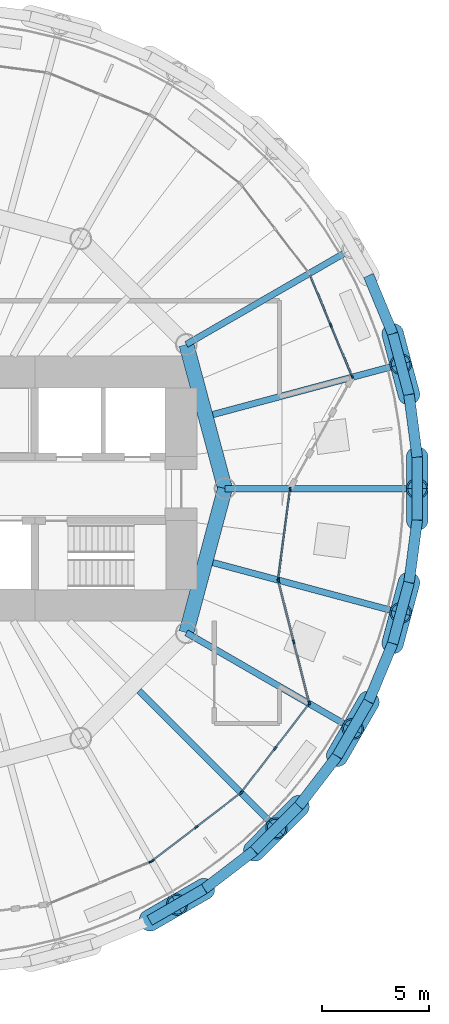
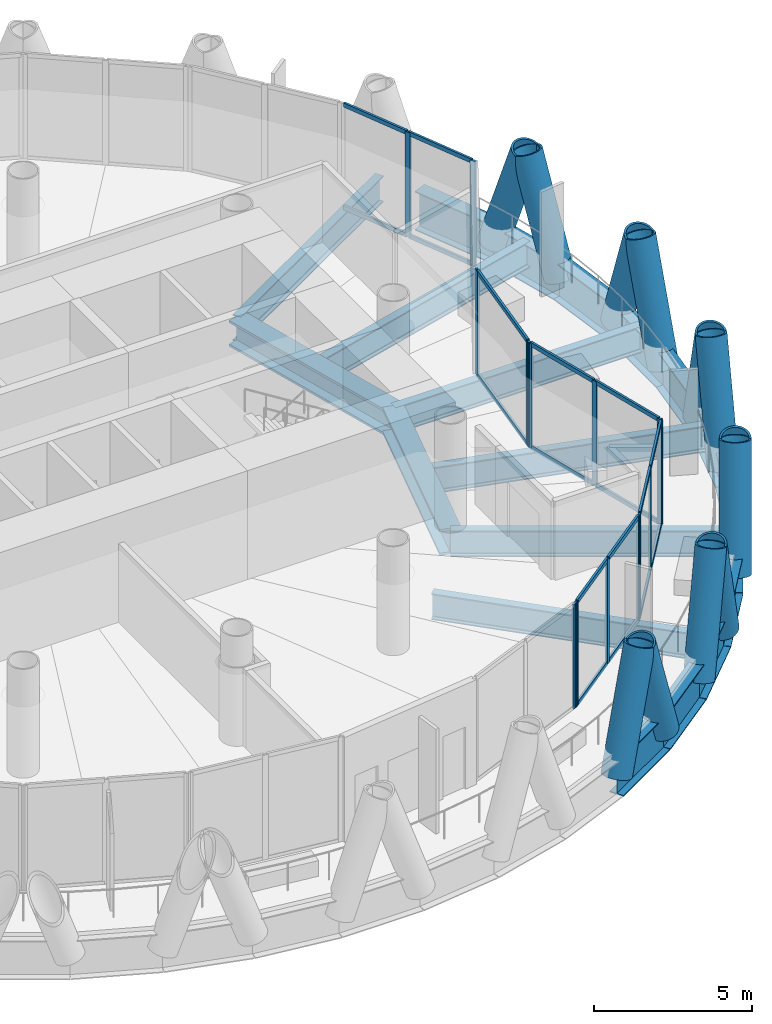
# One storey, part 4 of 13: 44 members, 20 beams, 6 elements without a shape of their own.
"""IFC4 building model written with IfcOpenShell, lengths in metres."""

from ifc_helpers import new_model, si_unit, direction, frame, origin, origin_2d, place, context, subcontext, project, spatial, rectangle, hollow_circle, i_section, extrude, material, material_profile, profile_set, type_object, element, aggregate, save


model = new_model("IFC4")

# Units and contexts
model_context = context("Model", 3, precision=1e-05, world=origin(), true_north=direction((0.0, 1.0)))
body_context = subcontext(model_context, "Body", "Model", "MODEL_VIEW")
ifc_project = project(units=[si_unit("LENGTHUNIT", "METRE"), si_unit("AREAUNIT", "SQUARE_METRE"), si_unit("VOLUMEUNIT", "CUBIC_METRE"), si_unit("PLANEANGLEUNIT", "RADIAN"), si_unit("MASSUNIT", "GRAM", prefix="KILO")], contexts=[model_context])

# Site, building, storey
site_placement = place(None, origin())
site = spatial("IfcSite", under=ifc_project, at=site_placement, CompositionType="ELEMENT")
building_placement = place(site_placement, origin())
building = spatial("IfcBuilding", under=site, at=building_placement, Name="Qaws Media Tower", CompositionType="ELEMENT")
storey_placement = place(building_placement, frame((0.0, 0.0, 223.39990234375)))
storey = spatial("IfcBuildingStorey", under=building, at=storey_placement, Name="L51", CompositionType="ELEMENT", Elevation=223.39990234375)

# Curtain wall, members
ifc_material_1 = material(Name="Aluminium and clear glass", Category="aluminium")
curtain_wall_type_1 = type_object("IfcCurtainWallType", Name="Unitised curtain wall CW-C", PredefinedType="NOTDEFINED", material=ifc_material_1)
curtain_wall_1_placement = place(storey_placement, origin())
curtain_wall_1 = element("IfcCurtainWall", 1, at=curtain_wall_1_placement, inside=storey, type_object=curtain_wall_type_1, Name="CWC curtain wall L51-02", PredefinedType="NOTDEFINED")
ifc_material_2 = material(Name="Aluminium mullion", Category="aluminium")
ifc_material_profile_1 = material_profile(ifc_material_2, rectangle(XDim=0.080078125, YDim=0.199951171875, at=origin_2d()), Name="80x200")
ifc_profile_set_1 = profile_set([ifc_material_profile_1], Name="Aluminium mullion")
member_type_1 = type_object("IfcMemberType", Name="Curtain wall mullion 80x200", PredefinedType="MULLION", material=ifc_profile_set_1)
member_1_placement = place(storey_placement, frame((79.447998046875, 55.252197265625, 0.0), z_axis=(0.0, 0.0, 1.0), x_axis=(-0.92387956031, -0.382683365254, 0.0)))
member_1 = element("IfcMember", 2, at=member_1_placement, type_object=member_type_1, Name="CWC mullion 1", PredefinedType="MULLION", context=body_context, shape_type="SweptSolid", body=[
    extrude(rectangle(XDim=0.080078125, YDim=0.199951171875, at=origin_2d()), origin(), (0.0, 0.0, 1.0), 4.0400390625),
])
member_2_placement = place(storey_placement, frame((78.456787109375, 57.64501953125, 0.0), z_axis=(0.0, 0.0, 1.0), x_axis=(-0.92387956031, -0.382683365254, 0.0)))
member_2 = element("IfcMember", 3, at=member_2_placement, type_object=member_type_1, Name="CWC mullion 2", PredefinedType="MULLION", context=body_context, shape_type="SweptSolid", body=[
    extrude(rectangle(XDim=0.080078125, YDim=0.199951171875, at=origin_2d()), origin(), (0.0, 0.0, 1.0), 4.0400390625),
])

# Curtain wall, member
curtain_wall_2_placement = place(storey_placement, origin())
curtain_wall_2 = element("IfcCurtainWall", 4, at=curtain_wall_2_placement, inside=storey, type_object=curtain_wall_type_1, Name="CWC curtain wall L51-20", PredefinedType="NOTDEFINED")
member_3_placement = place(storey_placement, frame((70.0380859375, 32.5341796875, 0.0), z_axis=(0.0, 0.0, 1.0), x_axis=(-0.382683365254, 0.92387956031, 0.0)))
member_3 = element("IfcMember", 5, at=member_3_placement, type_object=member_type_1, Name="CWC mullion 3", PredefinedType="MULLION", context=body_context, shape_type="SweptSolid", body=[
    extrude(rectangle(XDim=0.080078125, YDim=0.199951171875, at=origin_2d()), origin(), (0.0, 0.0, 1.0), 4.0400390625),
])
aggregate(curtain_wall_2, [member_3])

# Curtain wall, members
curtain_wall_3_placement = place(storey_placement, origin())
curtain_wall_3 = element("IfcCurtainWall", 6, at=curtain_wall_3_placement, inside=storey, type_object=curtain_wall_type_1, Name="CWC curtain wall L51-21", PredefinedType="NOTDEFINED")
member_4_placement = place(storey_placement, frame((70.106689453125, 32.573974609375, 0.0), z_axis=(0.0, 0.0, 1.0), x_axis=(-0.608761366685, 0.793353388114, 0.0)))
member_4 = element("IfcMember", 7, at=member_4_placement, type_object=member_type_1, Name="CWC mullion 1", PredefinedType="MULLION", context=body_context, shape_type="SweptSolid", body=[
    extrude(rectangle(XDim=0.080078125, YDim=0.199951171875, at=origin_2d()), origin(), (0.0, 0.0, 1.0), 4.0400390625),
])
member_5_placement = place(storey_placement, frame((72.16162109375, 34.150634765625, 0.0), z_axis=(0.0, 0.0, 1.0), x_axis=(-0.608761366685, 0.793353388114, 0.0)))
member_5 = element("IfcMember", 8, at=member_5_placement, type_object=member_type_1, Name="CWC mullion 2", PredefinedType="MULLION", context=body_context, shape_type="SweptSolid", body=[
    extrude(rectangle(XDim=0.080078125, YDim=0.199951171875, at=origin_2d()), origin(), (0.0, 0.0, 1.0), 4.0400390625),
])
member_6_placement = place(storey_placement, frame((74.216552734375, 35.7275390625, 0.0), z_axis=(0.0, 0.0, 1.0), x_axis=(-0.608761366685, 0.793353388114, 0.0)))
member_6 = element("IfcMember", 9, at=member_6_placement, type_object=member_type_1, Name="CWC mullion 3", PredefinedType="MULLION", context=body_context, shape_type="SweptSolid", body=[
    extrude(rectangle(XDim=0.080078125, YDim=0.199951171875, at=origin_2d()), origin(), (0.0, 0.0, 1.0), 4.0400390625),
])

curtain_wall_4_placement = place(storey_placement, origin())
curtain_wall_4 = element("IfcCurtainWall", 10, at=curtain_wall_4_placement, inside=storey, type_object=curtain_wall_type_1, Name="CWC curtain wall L51-22", PredefinedType="NOTDEFINED")
member_7_placement = place(storey_placement, frame((74.2724609375, 35.783447265625, 0.0), z_axis=(0.0, 0.0, 1.0), x_axis=(-0.793353388114, 0.608761366685, 0.0)))
member_7 = element("IfcMember", 11, at=member_7_placement, type_object=member_type_1, Name="CWC mullion 1", PredefinedType="MULLION", context=body_context, shape_type="SweptSolid", body=[
    extrude(rectangle(XDim=0.080078125, YDim=0.199951171875, at=origin_2d()), origin(), (0.0, 0.0, 1.0), 4.0400390625),
])
member_8_placement = place(storey_placement, frame((75.849365234375, 37.83837890625, 0.0), z_axis=(0.0, 0.0, 1.0), x_axis=(-0.793353388114, 0.608761366685, 0.0)))
member_8 = element("IfcMember", 12, at=member_8_placement, type_object=member_type_1, Name="CWC mullion 2", PredefinedType="MULLION", context=body_context, shape_type="SweptSolid", body=[
    extrude(rectangle(XDim=0.080078125, YDim=0.199951171875, at=origin_2d()), origin(), (0.0, 0.0, 1.0), 4.0400390625),
])
member_9_placement = place(storey_placement, frame((77.426025390625, 39.893310546875, 0.0), z_axis=(0.0, 0.0, 1.0), x_axis=(-0.793353388114, 0.608761366685, 0.0)))
member_9 = element("IfcMember", 13, at=member_9_placement, type_object=member_type_1, Name="CWC mullion 3", PredefinedType="MULLION", context=body_context, shape_type="SweptSolid", body=[
    extrude(rectangle(XDim=0.080078125, YDim=0.199951171875, at=origin_2d()), origin(), (0.0, 0.0, 1.0), 4.0400390625),
])

ifc_material_3 = material(Name="Aluminium and clear glass", Category="aluminium")
curtain_wall_type_2 = type_object("IfcCurtainWallType", Name="Loggia curtain wall CW-G", PredefinedType="NOTDEFINED", material=ifc_material_3)
curtain_wall_5_placement = place(storey_placement, origin())
curtain_wall_5 = element("IfcCurtainWall", 14, at=curtain_wall_5_placement, inside=storey, type_object=curtain_wall_type_2, Name="CWG curtain wall L51-23", PredefinedType="NOTDEFINED")
member_10_placement = place(storey_placement, frame((77.440673828125, 39.9638671875, 0.0), z_axis=(0.0, 0.0, 1.0), x_axis=(-0.969490961681, -0.245127059336, 0.0)))
member_10 = element("IfcMember", 15, at=member_10_placement, type_object=member_type_1, Name="CWG mullion 1", PredefinedType="MULLION", context=body_context, shape_type="SweptSolid", body=[
    extrude(rectangle(XDim=0.080078125, YDim=0.199951171875, at=origin_2d()), origin(), (0.0, 0.0, 1.0), 4.0400390625),
])
member_11_placement = place(storey_placement, frame((76.71826171875, 42.82080078125, 0.0), z_axis=(0.0, 0.0, 1.0), x_axis=(-0.969490961681, -0.245127059336, 0.0)))
member_11 = element("IfcMember", 16, at=member_11_placement, type_object=member_type_1, Name="CWG mullion 2", PredefinedType="MULLION", context=body_context, shape_type="SweptSolid", body=[
    extrude(rectangle(XDim=0.080078125, YDim=0.199951171875, at=origin_2d()), origin(), (0.0, 0.0, 1.0), 4.0400390625),
])
member_12_placement = place(storey_placement, frame((75.995849609375, 45.677734375, 0.0), z_axis=(0.0, 0.0, 1.0), x_axis=(-0.969490961681, -0.245127059336, 0.0)))
member_12 = element("IfcMember", 17, at=member_12_placement, type_object=member_type_1, Name="CWG mullion 3", PredefinedType="MULLION", context=body_context, shape_type="SweptSolid", body=[
    extrude(rectangle(XDim=0.080078125, YDim=0.199951171875, at=origin_2d()), origin(), (0.0, 0.0, 1.0), 4.0400390625),
])

curtain_wall_6_placement = place(storey_placement, origin())
curtain_wall_6 = element("IfcCurtainWall", 18, at=curtain_wall_6_placement, inside=storey, type_object=curtain_wall_type_2, Name="CWG curtain wall L51-24", PredefinedType="NOTDEFINED")
member_13_placement = place(storey_placement, frame((75.9912109375, 45.756103515625, 0.0), z_axis=(0.0, 0.0, 1.0), x_axis=(-0.991444847867, 0.130526294815, 0.0)))
member_13 = element("IfcMember", 19, at=member_13_placement, type_object=member_type_1, Name="CWG mullion 1", PredefinedType="MULLION", context=body_context, shape_type="SweptSolid", body=[
    extrude(rectangle(XDim=0.080078125, YDim=0.199951171875, at=origin_2d()), origin(), (0.0, 0.0, 1.0), 4.0400390625),
])
member_14_placement = place(storey_placement, frame((76.544677734375, 49.96044921875, 0.0), z_axis=(0.0, 0.0, 1.0), x_axis=(-0.991444847867, 0.130526294815, 0.0)))
member_14 = element("IfcMember", 20, at=member_14_placement, type_object=member_type_1, Name="CWG mullion 2", PredefinedType="MULLION", context=body_context, shape_type="SweptSolid", body=[
    extrude(rectangle(XDim=0.080078125, YDim=0.199951171875, at=origin_2d()), origin(), (0.0, 0.0, 1.0), 4.0400390625),
])

# Member
ifc_material_4 = material(Name="Aluminium transom", Category="aluminium")
ifc_material_profile_2 = material_profile(ifc_material_4, rectangle(XDim=0.080078125, YDim=0.159912109375, at=origin_2d()), Name="80x160")
ifc_profile_set_2 = profile_set([ifc_material_profile_2], Name="Aluminium transom")
member_type_2 = type_object("IfcMemberType", Name="Curtain wall transom 80x160", PredefinedType="USERDEFINED", material=ifc_profile_set_2)
member_15_placement = place(storey_placement, frame((79.432861328125, 55.2890625, 0.0400390625), z_axis=(-0.382715424105, 0.92386628045, 0.0), x_axis=(-0.92386628045, -0.382715424105, 0.0)))
member_15 = element("IfcMember", 21, at=member_15_placement, type_object=member_type_2, Name="CWC transom 1.1", ObjectType="TRANSOM", PredefinedType="USERDEFINED", context=body_context, shape_type="SweptSolid", body=[
    extrude(rectangle(XDim=0.080078125, YDim=0.159912109375, at=origin_2d()), origin(), (0.0, 0.0, 1.0), 2.51025390625),
])

member_16_placement = place(storey_placement, frame((79.432861328125, 55.2890625, 4.0), z_axis=(-0.382715424105, 0.92386628045, 0.0), x_axis=(-0.92386628045, -0.382715424105, 0.0)))
member_16 = element("IfcMember", 22, at=member_16_placement, type_object=member_type_2, Name="CWC transom 1.2", ObjectType="TRANSOM", PredefinedType="USERDEFINED", context=body_context, shape_type="SweptSolid", body=[
    extrude(rectangle(XDim=0.080078125, YDim=0.159912109375, at=origin_2d()), origin(), (0.0, 0.0, 1.0), 2.51025390625),
])

member_17_placement = place(storey_placement, frame((78.441650390625, 57.68212890625, 0.0400390625), z_axis=(-0.382749815673, 0.92385203285, 0.0), x_axis=(-0.92385203285, -0.382749815673, 0.0)))
member_17 = element("IfcMember", 23, at=member_17_placement, type_object=member_type_2, Name="CWC transom 2.1", ObjectType="TRANSOM", PredefinedType="USERDEFINED", context=body_context, shape_type="SweptSolid", body=[
    extrude(rectangle(XDim=0.080078125, YDim=0.159912109375, at=origin_2d()), origin(), (0.0, 0.0, 1.0), 2.510009765625),
])

member_18_placement = place(storey_placement, frame((78.441650390625, 57.68212890625, 4.0), z_axis=(-0.382749815673, 0.92385203285, 0.0), x_axis=(-0.92385203285, -0.382749815673, 0.0)))
member_18 = element("IfcMember", 24, at=member_18_placement, type_object=member_type_2, Name="CWC transom 2.2", ObjectType="TRANSOM", PredefinedType="USERDEFINED", context=body_context, shape_type="SweptSolid", body=[
    extrude(rectangle(XDim=0.080078125, YDim=0.159912109375, at=origin_2d()), origin(), (0.0, 0.0, 1.0), 2.510009765625),
])

aggregate(curtain_wall_1, [member_1, member_2, member_15, member_16, member_17, member_18])

member_19_placement = place(storey_placement, frame((70.138427734375, 32.598388671875, 0.0400390625), z_axis=(0.793404364979, 0.608694926571, 0.0), x_axis=(-0.608694926571, 0.793404364979, 0.0)))
member_19 = element("IfcMember", 25, at=member_19_placement, type_object=member_type_2, Name="CWC transom 1.1", ObjectType="TRANSOM", PredefinedType="USERDEFINED", context=body_context, shape_type="SweptSolid", body=[
    extrude(rectangle(XDim=0.080078125, YDim=0.159912109375, at=origin_2d()), origin(), (0.0, 0.0, 1.0), 2.510009765625),
])

member_20_placement = place(storey_placement, frame((70.138427734375, 32.598388671875, 4.0), z_axis=(0.793404364979, 0.608694926571, 0.0), x_axis=(-0.608694926571, 0.793404364979, 0.0)))
member_20 = element("IfcMember", 26, at=member_20_placement, type_object=member_type_2, Name="CWC transom 1.2", ObjectType="TRANSOM", PredefinedType="USERDEFINED", context=body_context, shape_type="SweptSolid", body=[
    extrude(rectangle(XDim=0.080078125, YDim=0.159912109375, at=origin_2d()), origin(), (0.0, 0.0, 1.0), 2.510009765625),
])

member_21_placement = place(storey_placement, frame((72.193359375, 34.175048828125, 0.0400390625), z_axis=(0.793357391306, 0.608756149587, 0.0), x_axis=(-0.608756149587, 0.793357391306, 0.0)))
member_21 = element("IfcMember", 27, at=member_21_placement, type_object=member_type_2, Name="CWC transom 2.1", ObjectType="TRANSOM", PredefinedType="USERDEFINED", context=body_context, shape_type="SweptSolid", body=[
    extrude(rectangle(XDim=0.080078125, YDim=0.159912109375, at=origin_2d()), origin(), (0.0, 0.0, 1.0), 2.51025390625),
])

member_22_placement = place(storey_placement, frame((72.193359375, 34.175048828125, 4.0), z_axis=(0.793357391306, 0.608756149587, 0.0), x_axis=(-0.608756149587, 0.793357391306, 0.0)))
member_22 = element("IfcMember", 28, at=member_22_placement, type_object=member_type_2, Name="CWC transom 2.2", ObjectType="TRANSOM", PredefinedType="USERDEFINED", context=body_context, shape_type="SweptSolid", body=[
    extrude(rectangle(XDim=0.080078125, YDim=0.159912109375, at=origin_2d()), origin(), (0.0, 0.0, 1.0), 2.51025390625),
])

aggregate(curtain_wall_3, [member_4, member_5, member_6, member_19, member_20, member_21, member_22])

member_23_placement = place(storey_placement, frame((74.296875, 35.815185546875, 0.0400390625), z_axis=(0.608756149587, 0.793357391306, 0.0), x_axis=(-0.793357391306, 0.608756149587, 0.0)))
member_23 = element("IfcMember", 29, at=member_23_placement, type_object=member_type_2, Name="CWC transom 1.1", ObjectType="TRANSOM", PredefinedType="USERDEFINED", context=body_context, shape_type="SweptSolid", body=[
    extrude(rectangle(XDim=0.080078125, YDim=0.159912109375, at=origin_2d()), origin(), (0.0, 0.0, 1.0), 2.51025390625),
])

member_24_placement = place(storey_placement, frame((74.296875, 35.815185546875, 4.0), z_axis=(0.608756149587, 0.793357391306, 0.0), x_axis=(-0.793357391306, 0.608756149587, 0.0)))
member_24 = element("IfcMember", 30, at=member_24_placement, type_object=member_type_2, Name="CWC transom 1.2", ObjectType="TRANSOM", PredefinedType="USERDEFINED", context=body_context, shape_type="SweptSolid", body=[
    extrude(rectangle(XDim=0.080078125, YDim=0.159912109375, at=origin_2d()), origin(), (0.0, 0.0, 1.0), 2.51025390625),
])

member_25_placement = place(storey_placement, frame((75.873779296875, 37.8701171875, 0.0400390625), z_axis=(0.608694926571, 0.793404364979, 0.0), x_axis=(-0.793404364979, 0.608694926571, 0.0)))
member_25 = element("IfcMember", 31, at=member_25_placement, type_object=member_type_2, Name="CWC transom 2.1", ObjectType="TRANSOM", PredefinedType="USERDEFINED", context=body_context, shape_type="SweptSolid", body=[
    extrude(rectangle(XDim=0.080078125, YDim=0.159912109375, at=origin_2d()), origin(), (0.0, 0.0, 1.0), 2.510009765625),
])

member_26_placement = place(storey_placement, frame((75.873779296875, 37.8701171875, 4.0), z_axis=(0.608694926571, 0.793404364979, 0.0), x_axis=(-0.793404364979, 0.608694926571, 0.0)))
member_26 = element("IfcMember", 32, at=member_26_placement, type_object=member_type_2, Name="CWC transom 2.2", ObjectType="TRANSOM", PredefinedType="USERDEFINED", context=body_context, shape_type="SweptSolid", body=[
    extrude(rectangle(XDim=0.080078125, YDim=0.159912109375, at=origin_2d()), origin(), (0.0, 0.0, 1.0), 2.510009765625),
])

aggregate(curtain_wall_4, [member_7, member_8, member_9, member_23, member_24, member_25, member_26])

member_27_placement = place(storey_placement, frame((77.430908203125, 40.00244140625, 0.0400390625), z_axis=(-0.245159496286, 0.969482759713, 0.0), x_axis=(-0.969482759713, -0.245159496286, 0.0)))
member_27 = element("IfcMember", 33, at=member_27_placement, type_object=member_type_2, Name="CWG transom 1.1", ObjectType="TRANSOM", PredefinedType="USERDEFINED", context=body_context, shape_type="SweptSolid", body=[
    extrude(rectangle(XDim=0.080078125, YDim=0.159912109375, at=origin_2d()), origin(), (0.0, 0.0, 1.0), 2.866943359375),
])

member_28_placement = place(storey_placement, frame((77.430908203125, 40.00244140625, 4.0), z_axis=(-0.245159496286, 0.969482759713, 0.0), x_axis=(-0.969482759713, -0.245159496286, 0.0)))
member_28 = element("IfcMember", 34, at=member_28_placement, type_object=member_type_2, Name="CWG transom 1.2", ObjectType="TRANSOM", PredefinedType="USERDEFINED", context=body_context, shape_type="SweptSolid", body=[
    extrude(rectangle(XDim=0.080078125, YDim=0.159912109375, at=origin_2d()), origin(), (0.0, 0.0, 1.0), 2.866943359375),
])

member_29_placement = place(storey_placement, frame((76.70849609375, 42.859619140625, 0.0400390625), z_axis=(-0.245179737221, 0.96947764103, 0.0), x_axis=(-0.96947764103, -0.245179737221, 0.0)))
member_29 = element("IfcMember", 35, at=member_29_placement, type_object=member_type_2, Name="CWG transom 2.1", ObjectType="TRANSOM", PredefinedType="USERDEFINED", context=body_context, shape_type="SweptSolid", body=[
    extrude(rectangle(XDim=0.080078125, YDim=0.159912109375, at=origin_2d()), origin(), (0.0, 0.0, 1.0), 2.86669921875),
])

member_30_placement = place(storey_placement, frame((76.70849609375, 42.859619140625, 4.0), z_axis=(-0.245179737221, 0.96947764103, 0.0), x_axis=(-0.96947764103, -0.245179737221, 0.0)))
member_30 = element("IfcMember", 36, at=member_30_placement, type_object=member_type_2, Name="CWG transom 2.2", ObjectType="TRANSOM", PredefinedType="USERDEFINED", context=body_context, shape_type="SweptSolid", body=[
    extrude(rectangle(XDim=0.080078125, YDim=0.159912109375, at=origin_2d()), origin(), (0.0, 0.0, 1.0), 2.86669921875),
])

aggregate(curtain_wall_5, [member_10, member_11, member_12, member_27, member_28, member_29, member_30])

member_31_placement = place(storey_placement, frame((75.99658203125, 45.7958984375, 0.0400390625), z_axis=(0.130510678529, 0.991446903666, 0.0), x_axis=(-0.991446903666, 0.130510678529, 0.0)))
member_31 = element("IfcMember", 37, at=member_31_placement, type_object=member_type_2, Name="CWG transom 1.1", ObjectType="TRANSOM", PredefinedType="USERDEFINED", context=body_context, shape_type="SweptSolid", body=[
    extrude(rectangle(XDim=0.080078125, YDim=0.159912109375, at=origin_2d()), origin(), (0.0, 0.0, 1.0), 4.160400390625),
])

member_32_placement = place(storey_placement, frame((75.99658203125, 45.7958984375, 4.0), z_axis=(0.130510678529, 0.991446903666, 0.0), x_axis=(-0.991446903666, 0.130510678529, 0.0)))
member_32 = element("IfcMember", 38, at=member_32_placement, type_object=member_type_2, Name="CWG transom 1.2", ObjectType="TRANSOM", PredefinedType="USERDEFINED", context=body_context, shape_type="SweptSolid", body=[
    extrude(rectangle(XDim=0.080078125, YDim=0.159912109375, at=origin_2d()), origin(), (0.0, 0.0, 1.0), 4.160400390625),
])

aggregate(curtain_wall_6, [member_13, member_14, member_31, member_32])

# Members
ifc_material_5 = material(Name="Steel S460", Category="steel")
ifc_material_profile_3 = material_profile(ifc_material_5, hollow_circle(Radius=0.508056640625, WallThickness=0.070068359375, at=origin_2d()), Name="CHS 1016x70")
ifc_profile_set_3 = profile_set([ifc_material_profile_3], Name="Steel S460")
member_type_3 = type_object("IfcMemberType", Name="Diagrid member CHS 1016x70", PredefinedType="USERDEFINED", material=ifc_profile_set_3)
for number, where, z_axis, x_axis, name in (
    (39, (82.11669921875, 54.399169921875, -0.909912109375), (-0.086107428884, 0.319968624274, 0.943507069487), (-0.965644518869, -0.25986662575, 0.0), "DG3 diagrid L51 A01"),
    (40, (82.501708984375, 51.474853515625, -0.909912109375), (-0.000383922357, -0.331324993668, 0.943516614149), (0.999999328652, -0.001158747774, 0.0), "DG3 diagrid L51 B01"),
    (41, (81.353271484375, 57.24853515625, -0.909912109375), (0.085395161557, -0.320135875408, 0.943515070181), (0.966215704868, 0.257734769998, 0.0), "DG3 diagrid L51 B02"),
    (42, (69.9736328125, 29.775634765625, -0.909912109375), (0.286737340788, 0.165965415689, 0.943523809023), (-0.500944907845, 0.865479173236, 0.0), "DG3 diagrid L51 A20"),
    (43, (74.8681640625, 33.0458984375, -0.909912109375), (0.234025886045, 0.234574341367, 0.94350769103), (-0.707933902551, 0.706278691182, 0.0), "DG3 diagrid L51 A21"),
    (44, (72.528076171875, 31.250244140625, -0.909912109375), (-0.287120937435, -0.16530706885, 0.943522729072), (0.498953142085, -0.866628964438, 0.0), "DG3 diagrid L51 B21"),
    (45, (78.749755859375, 37.471923828125, -0.909912109375), (0.16530706885, 0.287120937435, 0.943522729072), (-0.866628964438, 0.498953142085, 0.0), "DG3 diagrid L51 A22"),
    (46, (76.9541015625, 35.1318359375, -0.909912109375), (-0.234574341367, -0.234025886045, 0.94350769103), (0.706278691182, -0.707933902551, 0.0), "DG3 diagrid L51 B22"),
    (47, (81.353271484375, 42.75146484375, -0.909912109375), (0.085395161557, 0.320135875408, 0.943515070181), (-0.966215704868, 0.257734769998, 0.0), "DG3 diagrid L51 A23"),
    (48, (80.224365234375, 40.0263671875, -0.909912109375), (-0.165965415689, -0.286737340788, 0.943523809023), (0.865479173236, -0.500944907845, 0.0), "DG3 diagrid L51 B23"),
    (49, (82.501708984375, 48.525146484375, -0.909912109375), (-0.000383922357, 0.331324993668, 0.943516614149), (-0.999999328652, -0.001158747774, 0.0), "DG3 diagrid L51 A24"),
    (50, (82.11669921875, 45.600830078125, -0.909912109375), (-0.086107428884, -0.319968624274, 0.943507069487), (0.965644518869, -0.25986662575, 0.0), "DG3 diagrid L51 B24"),
):
    element("IfcMember", number, at=place(storey_placement, frame(where, z_axis=z_axis, x_axis=x_axis)), inside=storey, type_object=member_type_3, Name=name, ObjectType="DIAGRID", PredefinedType="USERDEFINED", context=body_context, shape_type="SweptSolid", body=[
        extrude(hollow_circle(Radius=0.508056640625, WallThickness=0.070068359375, at=origin_2d()), origin(), (0.0, 0.0, 1.0), 4.451416015625),
    ])

# Beams
ifc_material_6 = material(Name="Steel S460", Category="steel")
ifc_material_profile_4 = material_profile(ifc_material_6, i_section(OverallWidth=0.5, OverallDepth=1.5, WebThickness=0.02001953125, FlangeThickness=0.0400390625, at=origin_2d()), Name="PG 1500x500")
ifc_profile_set_4 = profile_set([ifc_material_profile_4], Name="Steel S460")
beam_type_1 = type_object("IfcBeamType", Name="Edge ring beam PG 1500x500", PredefinedType="BEAM", material=ifc_profile_set_4)
beam_1_placement = place(storey_placement, frame((82.501708984375, 51.474853515625, -0.909912109375), z_axis=(-0.130531593338, 0.991444150288, 0.0), x_axis=(-0.991444150288, -0.130531593338, 0.0)))
element("IfcBeam", 51, at=beam_1_placement, inside=storey, type_object=beam_type_1, Name="RB4 edge ring beam L51-01", PredefinedType="BEAM", context=body_context, shape_type="SweptSolid", body=[
    extrude(i_section(OverallWidth=0.5, OverallDepth=1.5, WebThickness=0.02001953125, FlangeThickness=0.0400390625, at=origin_2d()), origin(), (0.0, 0.0, 1.0), 2.949462890625),
])
beam_2_placement = place(storey_placement, frame((82.11669921875, 54.399169921875, -0.909912109375), z_axis=(-0.258800896618, 0.965930688978, 0.0), x_axis=(-0.965930688978, -0.258800896618, 0.0)))
element("IfcBeam", 52, at=beam_2_placement, inside=storey, type_object=beam_type_1, Name="RB4 edge ring beam L51-02", PredefinedType="BEAM", context=body_context, shape_type="SweptSolid", body=[
    extrude(i_section(OverallWidth=0.5, OverallDepth=1.5, WebThickness=0.02001953125, FlangeThickness=0.0400390625, at=origin_2d()), origin(), (0.0, 0.0, 1.0), 2.949951171875),
])
beam_3_placement = place(storey_placement, frame((81.353271484375, 57.24853515625, -0.909912109375), z_axis=(-0.382722162146, 0.92386348916, 0.0), x_axis=(-0.92386348916, -0.382722162146, 0.0)))
element("IfcBeam", 53, at=beam_3_placement, inside=storey, type_object=beam_type_1, Name="RB4 edge ring beam L51-03", PredefinedType="BEAM", context=body_context, shape_type="SweptSolid", body=[
    extrude(i_section(OverallWidth=0.5, OverallDepth=1.5, WebThickness=0.02001953125, FlangeThickness=0.0400390625, at=origin_2d()), origin(), (0.0, 0.0, 1.0), 2.94970703125),
])
beam_4_placement = place(storey_placement, frame((69.9736328125, 29.775634765625, -0.909912109375), z_axis=(0.866054644421, 0.499949350311, 0.0), x_axis=(-0.499949350311, 0.866054644421, 0.0)))
element("IfcBeam", 54, at=beam_4_placement, inside=storey, type_object=beam_type_1, Name="RB4 edge ring beam L51-40", PredefinedType="BEAM", context=body_context, shape_type="SweptSolid", body=[
    extrude(i_section(OverallWidth=0.5, OverallDepth=1.5, WebThickness=0.02001953125, FlangeThickness=0.0400390625, at=origin_2d()), origin(), (0.0, 0.0, 1.0), 2.949462890625),
])
beam_5_placement = place(storey_placement, frame((72.528076171875, 31.250244140625, -0.909912109375), z_axis=(0.793346511764, 0.608770328015, 0.0), x_axis=(-0.608770328015, 0.793346511764, 0.0)))
element("IfcBeam", 55, at=beam_5_placement, inside=storey, type_object=beam_type_1, Name="RB4 edge ring beam L51-41", PredefinedType="BEAM", context=body_context, shape_type="SweptSolid", body=[
    extrude(i_section(OverallWidth=0.5, OverallDepth=1.5, WebThickness=0.02001953125, FlangeThickness=0.0400390625, at=origin_2d()), origin(), (0.0, 0.0, 1.0), 2.94970703125),
])
beam_6_placement = place(storey_placement, frame((74.8681640625, 33.0458984375, -0.909912109375), z_axis=(0.707106781187, 0.707106781187, 0.0), x_axis=(-0.707106781187, 0.707106781187, 0.0)))
element("IfcBeam", 56, at=beam_6_placement, inside=storey, type_object=beam_type_1, Name="RB4 edge ring beam L51-42", PredefinedType="BEAM", context=body_context, shape_type="SweptSolid", body=[
    extrude(i_section(OverallWidth=0.5, OverallDepth=1.5, WebThickness=0.02001953125, FlangeThickness=0.0400390625, at=origin_2d()), origin(), (0.0, 0.0, 1.0), 2.949951171875),
])
beam_7_placement = place(storey_placement, frame((76.9541015625, 35.1318359375, -0.909912109375), z_axis=(0.608770328015, 0.793346511764, 0.0), x_axis=(-0.793346511764, 0.608770328015, 0.0)))
element("IfcBeam", 57, at=beam_7_placement, inside=storey, type_object=beam_type_1, Name="RB4 edge ring beam L51-43", PredefinedType="BEAM", context=body_context, shape_type="SweptSolid", body=[
    extrude(i_section(OverallWidth=0.5, OverallDepth=1.5, WebThickness=0.02001953125, FlangeThickness=0.0400390625, at=origin_2d()), origin(), (0.0, 0.0, 1.0), 2.94970703125),
])
beam_8_placement = place(storey_placement, frame((78.749755859375, 37.471923828125, -0.909912109375), z_axis=(0.499949350311, 0.866054644421, 0.0), x_axis=(-0.866054644421, 0.499949350311, 0.0)))
element("IfcBeam", 58, at=beam_8_placement, inside=storey, type_object=beam_type_1, Name="RB4 edge ring beam L51-44", PredefinedType="BEAM", context=body_context, shape_type="SweptSolid", body=[
    extrude(i_section(OverallWidth=0.5, OverallDepth=1.5, WebThickness=0.02001953125, FlangeThickness=0.0400390625, at=origin_2d()), origin(), (0.0, 0.0, 1.0), 2.949462890625),
])
beam_9_placement = place(storey_placement, frame((80.224365234375, 40.0263671875, -0.909912109375), z_axis=(0.382722162146, 0.92386348916, 0.0), x_axis=(-0.92386348916, 0.382722162146, 0.0)))
element("IfcBeam", 59, at=beam_9_placement, inside=storey, type_object=beam_type_1, Name="RB4 edge ring beam L51-45", PredefinedType="BEAM", context=body_context, shape_type="SweptSolid", body=[
    extrude(i_section(OverallWidth=0.5, OverallDepth=1.5, WebThickness=0.02001953125, FlangeThickness=0.0400390625, at=origin_2d()), origin(), (0.0, 0.0, 1.0), 2.94970703125),
])
beam_10_placement = place(storey_placement, frame((81.353271484375, 42.75146484375, -0.909912109375), z_axis=(0.258800896618, 0.965930688978, 0.0), x_axis=(-0.965930688978, 0.258800896618, 0.0)))
element("IfcBeam", 60, at=beam_10_placement, inside=storey, type_object=beam_type_1, Name="RB4 edge ring beam L51-46", PredefinedType="BEAM", context=body_context, shape_type="SweptSolid", body=[
    extrude(i_section(OverallWidth=0.5, OverallDepth=1.5, WebThickness=0.02001953125, FlangeThickness=0.0400390625, at=origin_2d()), origin(), (0.0, 0.0, 1.0), 2.949951171875),
])
beam_11_placement = place(storey_placement, frame((82.11669921875, 45.600830078125, -0.909912109375), z_axis=(0.130531593338, 0.991444150288, 0.0), x_axis=(-0.991444150288, 0.130531593338, 0.0)))
element("IfcBeam", 61, at=beam_11_placement, inside=storey, type_object=beam_type_1, Name="RB4 edge ring beam L51-47", PredefinedType="BEAM", context=body_context, shape_type="SweptSolid", body=[
    extrude(i_section(OverallWidth=0.5, OverallDepth=1.5, WebThickness=0.02001953125, FlangeThickness=0.0400390625, at=origin_2d()), origin(), (0.0, 0.0, 1.0), 2.949462890625),
])
beam_12_placement = place(storey_placement, frame((82.501708984375, 48.525146484375, -0.909912109375), z_axis=(0.0, 1.0, 0.0), x_axis=(-1.0, 0.0, 0.0)))
element("IfcBeam", 62, at=beam_12_placement, inside=storey, type_object=beam_type_1, Name="RB4 edge ring beam L51-48", PredefinedType="BEAM", context=body_context, shape_type="SweptSolid", body=[
    extrude(i_section(OverallWidth=0.5, OverallDepth=1.5, WebThickness=0.02001953125, FlangeThickness=0.0400390625, at=origin_2d()), origin(), (0.0, 0.0, 1.0), 2.94970703125),
])
ifc_material_7 = material(Name="Steel S460", Category="steel")
ifc_material_profile_5 = material_profile(ifc_material_7, i_section(OverallWidth=0.699951171875, OverallDepth=1.0, WebThickness=0.034912109375, FlangeThickness=0.090087890625, at=origin_2d()), Name="PG 1000x700")
ifc_profile_set_5 = profile_set([ifc_material_profile_5], Name="Steel S460")
beam_type_2 = type_object("IfcBeamType", Name="Inner ring girder PG 1000x700", PredefinedType="BEAM", material=ifc_profile_set_5)
for number, where, z_axis, x_axis, name in (
    (63, (73.5, 50.0, -0.659912109375), (-0.258810593767, 0.965928090778, 0.0), (-0.965928090778, -0.258810593767, 0.0), "B3 inner ring beam L51 I01-I02"),
    (64, (71.69140625, 43.25, -0.659912109375), (0.258810593767, 0.965928090778, 0.0), (-0.965928090778, 0.258810593767, 0.0), "B3 inner ring beam L51 I12-I01"),
):
    element("IfcBeam", number, at=place(storey_placement, frame(where, z_axis=z_axis, x_axis=x_axis)), inside=storey, type_object=beam_type_2, Name=name, PredefinedType="BEAM", context=body_context, shape_type="SweptSolid", body=[
        extrude(i_section(OverallWidth=0.699951171875, OverallDepth=1.0, WebThickness=0.034912109375, FlangeThickness=0.090087890625, at=origin_2d()), origin(), (0.0, 0.0, 1.0), 6.988037109375),
    ])
ifc_material_8 = material(Name="Steel S355", Category="steel")
ifc_material_profile_6 = material_profile(ifc_material_8, i_section(OverallWidth=0.302001953125, OverallDepth=1.008056640625, WebThickness=0.02099609375, FlangeThickness=0.0400390625, FilletRadius=0.030029296875, at=origin_2d()), Name="HE 1000 M")
ifc_profile_set_6 = profile_set([ifc_material_profile_6], Name="Steel S355")
beam_type_3 = type_object("IfcBeamType", Name="Radial beam HE 1000 M", PredefinedType="BEAM", material=ifc_profile_set_6)
beam_13_placement = place(storey_placement, frame((73.5, 50.0, -0.663818359375), z_axis=(1.0, 0.0, 0.0), x_axis=(0.0, 1.0, 0.0)))
element("IfcBeam", 65, at=beam_13_placement, inside=storey, type_object=beam_type_3, Name="B1 radial beam L51 01", PredefinedType="BEAM", context=body_context, shape_type="SweptSolid", body=[
    extrude(i_section(OverallWidth=0.302001953125, OverallDepth=1.008056640625, WebThickness=0.02099609375, FlangeThickness=0.0400390625, FilletRadius=0.030029296875, at=origin_2d()), origin(), (0.0, 0.0, 1.0), 9.001708984375),
])
beam_14_placement = place(storey_placement, frame((72.933837890625, 53.465576171875, -0.663818359375), z_axis=(0.965922935072, 0.258829835029, 0.0), x_axis=(-0.258829835029, 0.965922935072, 0.0)))
element("IfcBeam", 66, at=beam_14_placement, inside=storey, type_object=beam_type_3, Name="B1 radial beam L51 02", PredefinedType="BEAM", context=body_context, shape_type="SweptSolid", body=[
    extrude(i_section(OverallWidth=0.302001953125, OverallDepth=1.008056640625, WebThickness=0.02099609375, FlangeThickness=0.0400390625, FilletRadius=0.030029296875, at=origin_2d()), origin(), (0.0, 0.0, 1.0), 9.11181640625),
])
beam_15_placement = place(storey_placement, frame((71.69140625, 56.75, -0.663818359375), z_axis=(0.866018021963, 0.500012785472, 0.0), x_axis=(-0.500012785472, 0.866018021963, 0.0)))
element("IfcBeam", 67, at=beam_15_placement, inside=storey, type_object=beam_type_3, Name="B1 radial beam L51 03", PredefinedType="BEAM", context=body_context, shape_type="SweptSolid", body=[
    extrude(i_section(OverallWidth=0.302001953125, OverallDepth=1.008056640625, WebThickness=0.02099609375, FlangeThickness=0.0400390625, FilletRadius=0.030029296875, at=origin_2d()), origin(), (0.0, 0.0, 1.0), 9.001708984375),
])
beam_16_placement = place(storey_placement, frame((69.46826171875, 40.53173828125, -0.663818359375), z_axis=(0.707106781187, -0.707106781187, 0.0), x_axis=(0.707106781187, 0.707106781187, 0.0)))
element("IfcBeam", 68, at=beam_16_placement, inside=storey, type_object=beam_type_3, Name="B1 radial beam L51 22", PredefinedType="BEAM", context=body_context, shape_type="SweptSolid", body=[
    extrude(i_section(OverallWidth=0.302001953125, OverallDepth=1.008056640625, WebThickness=0.02099609375, FlangeThickness=0.0400390625, FilletRadius=0.030029296875, at=origin_2d()), origin(), (0.0, 0.0, 1.0), 9.111572265625),
])
beam_17_placement = place(storey_placement, frame((71.69140625, 43.25, -0.663818359375), z_axis=(0.866018021963, -0.500012785472, 0.0), x_axis=(0.500012785472, 0.866018021963, 0.0)))
element("IfcBeam", 69, at=beam_17_placement, inside=storey, type_object=beam_type_3, Name="B1 radial beam L51 23", PredefinedType="BEAM", context=body_context, shape_type="SweptSolid", body=[
    extrude(i_section(OverallWidth=0.302001953125, OverallDepth=1.008056640625, WebThickness=0.02099609375, FlangeThickness=0.0400390625, FilletRadius=0.030029296875, at=origin_2d()), origin(), (0.0, 0.0, 1.0), 9.001708984375),
])
beam_18_placement = place(storey_placement, frame((72.933837890625, 46.534423828125, -0.663818359375), z_axis=(0.965922935072, -0.258829835029, 0.0), x_axis=(0.258829835029, 0.965922935072, 0.0)))
element("IfcBeam", 70, at=beam_18_placement, inside=storey, type_object=beam_type_3, Name="B1 radial beam L51 24", PredefinedType="BEAM", context=body_context, shape_type="SweptSolid", body=[
    extrude(i_section(OverallWidth=0.302001953125, OverallDepth=1.008056640625, WebThickness=0.02099609375, FlangeThickness=0.0400390625, FilletRadius=0.030029296875, at=origin_2d()), origin(), (0.0, 0.0, 1.0), 9.11181640625),
])

save(model, "model.ifc")
